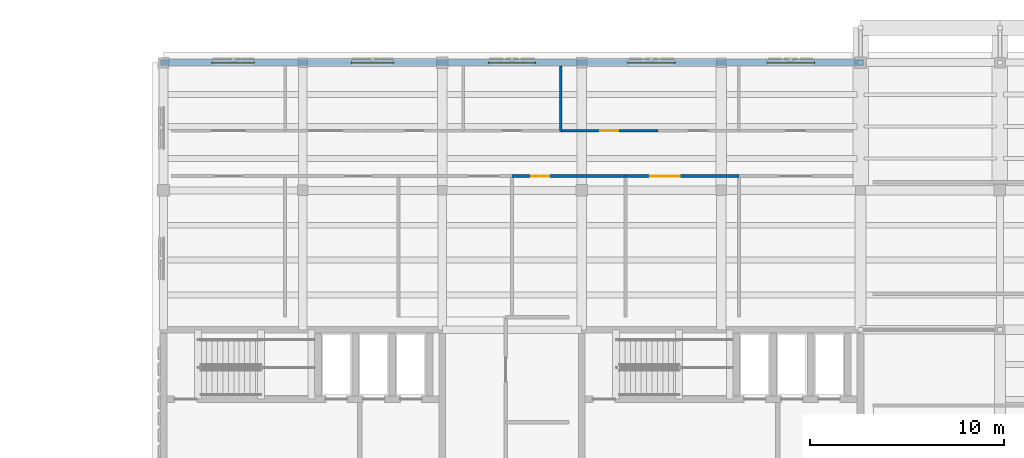
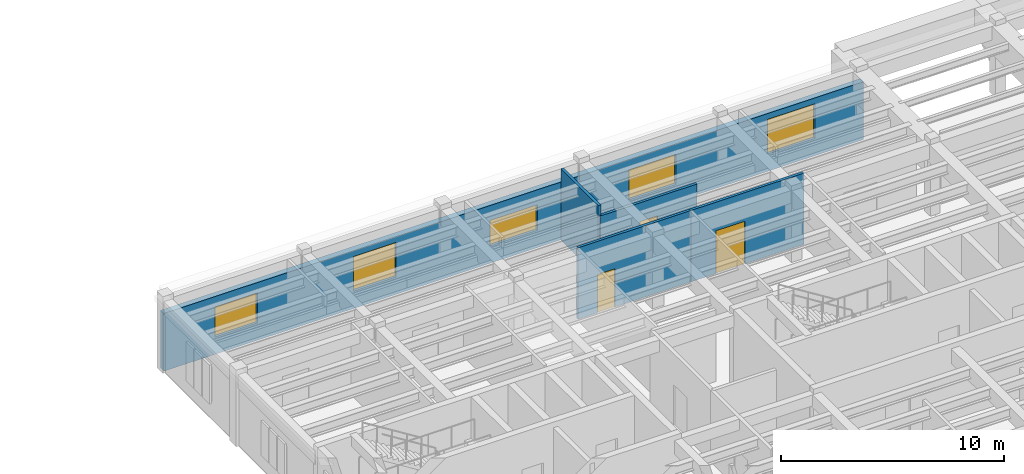
# One storey, part 15 of 22: 5 walls, 5 windows, 3 doors, 8 openings.
"""IFC4 building model written with IfcOpenShell, lengths in metres."""

from ifc_helpers import new_model, si_unit, direction, frame, frame_2d, origin, place, context, subcontext, project, spatial, rectangle, extrude, material, layer, layer_set, type_object, element, fill, save


model = new_model("IFC4")

# Units and contexts
model_context = context("Model", 3, precision=1e-05, world=origin(), true_north=direction((0.0, 1.0)))
body_context = subcontext(model_context, "Body", "Model", "MODEL_VIEW")
ifc_project = project(units=[si_unit("LENGTHUNIT", "METRE"), si_unit("AREAUNIT", "SQUARE_METRE"), si_unit("VOLUMEUNIT", "CUBIC_METRE"), si_unit("PLANEANGLEUNIT", "RADIAN"), si_unit("MASSUNIT", "GRAM", prefix="KILO")], contexts=[model_context])

# Site, building, storey
site_placement = place(None, origin())
site = spatial("IfcSite", under=ifc_project, at=site_placement, CompositionType="ELEMENT")
building_placement = place(site_placement, origin())
building = spatial("IfcBuilding", under=site, at=building_placement, Name="Mithqara Police Headquarters", CompositionType="ELEMENT")
storey_placement = place(building_placement, frame((0.0, 0.0, 22.199951171875)))
storey = spatial("IfcBuildingStorey", under=building, at=storey_placement, Name="L05", CompositionType="ELEMENT", Elevation=22.199951171875)

# Wall, openings, windows
ifc_material_1 = material(Name="Ochre masonry cavity wall, 35 MPa", Category="masonry")
ifc_layer_1 = layer(ifc_material_1, 0.300048828125, Name="Ochre masonry cavity wall, 35 MPa")
ifc_layer_set_1 = layer_set([ifc_layer_1], Name="Ochre masonry cavity wall, 35 MPa")
wall_type_1 = type_object("IfcWallType", Name="EXT WALL OCHRE BRICK300", PredefinedType="SOLIDWALL", material=ifc_layer_set_1)
wall_1_placement = place(storey_placement, frame((144.75, 114.0, 0.0), z_axis=(0.0, 0.0, 1.0), x_axis=(-1.0, 0.0, 0.0)))
wall_1 = element("IfcWall", 1, at=wall_1_placement, inside=storey, type_object=wall_type_1, Name="L05 Exterior Wall 8.1", PredefinedType="SOLIDWALL", context=body_context, shape_type="SweptSolid", body=[
    extrude(rectangle(XDim=36.300048828125, YDim=0.300048828125, at=frame_2d((18.14990234375, 0.0))), origin(), (0.0, 0.0, 1.0), 3.170166015625),
])
opening_1_placement = place(wall_1_placement, frame((31.449951171875, 0.0, 0.949951171875)))
opening_1 = element("IfcOpeningElement", 2, at=opening_1_placement, cuts=wall_1, Name="Opening W-42", PredefinedType="OPENING", context=body_context, shape_type="SweptSolid", body=[
    extrude(rectangle(XDim=2.199951171875, YDim=1.64990234375, at=frame_2d((1.10009765625, 0.824951171875))), frame((0.0, 0.16015625, 0.0), z_axis=(0.0, -1.0, 0.0), x_axis=(1.0, 0.0, 0.0)), (0.0, 0.0, 1.0), 0.320068359375),
])
opening_2_placement = place(wall_1_placement, frame((24.25, 0.0, 0.949951171875)))
opening_2 = element("IfcOpeningElement", 3, at=opening_2_placement, cuts=wall_1, Name="Opening W-43", PredefinedType="OPENING", context=body_context, shape_type="SweptSolid", body=[
    extrude(rectangle(XDim=2.199951171875, YDim=1.89990234375, at=frame_2d((1.10009765625, 0.949951171875))), frame((0.0, 0.16015625, 0.0), z_axis=(0.0, -1.0, 0.0), x_axis=(1.0, 0.0, 0.0)), (0.0, 0.0, 1.0), 0.320068359375),
])
opening_3_placement = place(wall_1_placement, frame((16.925048828125, 0.0, 0.949951171875)))
opening_3 = element("IfcOpeningElement", 4, at=opening_3_placement, cuts=wall_1, Name="Opening W-46", PredefinedType="OPENING", context=body_context, shape_type="SweptSolid", body=[
    extrude(rectangle(XDim=2.449951171875, YDim=1.39990234375, at=frame_2d((1.22509765625, 0.699951171875))), frame((0.0, 0.16015625, 0.0), z_axis=(0.0, -1.0, 0.0), x_axis=(1.0, 0.0, 0.0)), (0.0, 0.0, 1.0), 0.320068359375),
])
opening_4_placement = place(wall_1_placement, frame((9.72509765625, 0.0, 0.949951171875)))
opening_4 = element("IfcOpeningElement", 5, at=opening_4_placement, cuts=wall_1, Name="Opening W-47", PredefinedType="OPENING", context=body_context, shape_type="SweptSolid", body=[
    extrude(rectangle(XDim=2.449951171875, YDim=1.64990234375, at=frame_2d((1.22509765625, 0.824951171875))), frame((0.0, 0.16015625, 0.0), z_axis=(0.0, -1.0, 0.0), x_axis=(1.0, 0.0, 0.0)), (0.0, 0.0, 1.0), 0.320068359375),
])
opening_5_placement = place(wall_1_placement, frame((2.52490234375, 0.0, 0.949951171875)))
opening_5 = element("IfcOpeningElement", 6, at=opening_5_placement, cuts=wall_1, Name="Opening W-48", PredefinedType="OPENING", context=body_context, shape_type="SweptSolid", body=[
    extrude(rectangle(XDim=2.449951171875, YDim=1.89990234375, at=frame_2d((1.22509765625, 0.949951171875))), frame((0.0, 0.16015625, 0.0), z_axis=(0.0, -1.0, 0.0), x_axis=(1.0, 0.0, 0.0)), (0.0, 0.0, 1.0), 0.320068359375),
])
ifc_material_2 = material(Name="Spectrally selective double low-e glass", Category="glass")
window_type_1 = type_object("IfcWindowType", Name="WINDOW 2200X1650", PartitioningType="DOUBLE_PANEL_VERTICAL", PredefinedType="WINDOW", material=ifc_material_2)
window_1_placement = place(opening_1_placement, origin())
window_1 = element("IfcWindow", 7, at=window_1_placement, inside=storey, type_object=window_type_1, Name="L05 Command Block Screened Window 8.1", OverallHeight=1.64990234375, OverallWidth=2.199951171875, PartitioningType="SINGLE_PANEL", PredefinedType="WINDOW", context=body_context, shape_type="SweptSolid", body=[
    extrude(rectangle(XDim=2.199951171875, YDim=1.64990234375, at=frame_2d((1.10009765625, 0.824951171875))), frame((0.0, 0.030029296875, 0.0), z_axis=(0.0, -1.0, 0.0), x_axis=(1.0, 0.0, 0.0)), (0.0, 0.0, 1.0), 0.06005859375),
])
fill(opening_1, window_1)
window_type_2 = type_object("IfcWindowType", Name="WINDOW 2200X1900", PartitioningType="DOUBLE_PANEL_VERTICAL", PredefinedType="WINDOW", material=ifc_material_2)
window_2_placement = place(opening_2_placement, origin())
window_2 = element("IfcWindow", 8, at=window_2_placement, inside=storey, type_object=window_type_2, Name="L05 Command Block Screened Window 8.2", OverallHeight=1.89990234375, OverallWidth=2.199951171875, PartitioningType="SINGLE_PANEL", PredefinedType="WINDOW", context=body_context, shape_type="SweptSolid", body=[
    extrude(rectangle(XDim=2.199951171875, YDim=1.89990234375, at=frame_2d((1.10009765625, 0.949951171875))), frame((0.0, 0.030029296875, 0.0), z_axis=(0.0, -1.0, 0.0), x_axis=(1.0, 0.0, 0.0)), (0.0, 0.0, 1.0), 0.06005859375),
])
fill(opening_2, window_2)
window_type_3 = type_object("IfcWindowType", Name="WINDOW 2450X1400", PartitioningType="DOUBLE_PANEL_VERTICAL", PredefinedType="WINDOW", material=ifc_material_2)
window_3_placement = place(opening_3_placement, origin())
window_3 = element("IfcWindow", 9, at=window_3_placement, inside=storey, type_object=window_type_3, Name="L05 Command Block Screened Window 8.3", OverallHeight=1.39990234375, OverallWidth=2.449951171875, PartitioningType="SINGLE_PANEL", PredefinedType="WINDOW", context=body_context, shape_type="SweptSolid", body=[
    extrude(rectangle(XDim=2.449951171875, YDim=1.39990234375, at=frame_2d((1.22509765625, 0.699951171875))), frame((0.0, 0.030029296875, 0.0), z_axis=(0.0, -1.0, 0.0), x_axis=(1.0, 0.0, 0.0)), (0.0, 0.0, 1.0), 0.06005859375),
])
fill(opening_3, window_3)
window_type_4 = type_object("IfcWindowType", Name="WINDOW 2450X1650", PartitioningType="DOUBLE_PANEL_VERTICAL", PredefinedType="WINDOW", material=ifc_material_2)
window_4_placement = place(opening_4_placement, origin())
window_4 = element("IfcWindow", 10, at=window_4_placement, inside=storey, type_object=window_type_4, Name="L05 Command Block Screened Window 8.4", OverallHeight=1.64990234375, OverallWidth=2.449951171875, PartitioningType="SINGLE_PANEL", PredefinedType="WINDOW", context=body_context, shape_type="SweptSolid", body=[
    extrude(rectangle(XDim=2.449951171875, YDim=1.64990234375, at=frame_2d((1.22509765625, 0.824951171875))), frame((0.0, 0.030029296875, 0.0), z_axis=(0.0, -1.0, 0.0), x_axis=(1.0, 0.0, 0.0)), (0.0, 0.0, 1.0), 0.06005859375),
])
fill(opening_4, window_4)
window_type_5 = type_object("IfcWindowType", Name="WINDOW 2450X1900", PartitioningType="DOUBLE_PANEL_VERTICAL", PredefinedType="WINDOW", material=ifc_material_2)
window_5_placement = place(opening_5_placement, origin())
window_5 = element("IfcWindow", 11, at=window_5_placement, inside=storey, type_object=window_type_5, Name="L05 Command Block Screened Window 8.5", OverallHeight=1.89990234375, OverallWidth=2.449951171875, PartitioningType="SINGLE_PANEL", PredefinedType="WINDOW", context=body_context, shape_type="SweptSolid", body=[
    extrude(rectangle(XDim=2.449951171875, YDim=1.89990234375, at=frame_2d((1.22509765625, 0.949951171875))), frame((0.0, 0.030029296875, 0.0), z_axis=(0.0, -1.0, 0.0), x_axis=(1.0, 0.0, 0.0)), (0.0, 0.0, 1.0), 0.06005859375),
])
fill(opening_5, window_5)

# Wall, opening, door
ifc_material_3 = material(Name="Gypsum acoustic stud partition", Category="gypsum")
ifc_layer_2 = layer(ifc_material_3, 0.139892578125, Name="Gypsum acoustic stud partition")
ifc_layer_set_2 = layer_set([ifc_layer_2], Name="Gypsum acoustic stud partition")
wall_type_2 = type_object("IfcWallType", Name="PART WALL 140", PredefinedType="PARTITIONING", material=ifc_layer_set_2)
wall_2_placement = place(storey_placement, frame((126.60009765625, 108.139892578125, 0.0), z_axis=(0.0, 0.0, 1.0), x_axis=(1.0, 0.0, 0.0)))
wall_2 = element("IfcWall", 12, at=wall_2_placement, inside=storey, type_object=wall_type_2, Name="L05 Corridor Wall Chief of Staff Office", PredefinedType="PARTITIONING", context=body_context, shape_type="SweptSolid", body=[
    extrude(rectangle(XDim=5.85986328125, YDim=0.139892578125, at=frame_2d((2.929931640625, 0.0))), origin(), (0.0, 0.0, 1.0), 3.920166015625),
])
opening_6_placement = place(wall_2_placement, frame((1.0048828125, 0.0, 0.0)))
opening_6 = element("IfcOpeningElement", 13, at=opening_6_placement, cuts=wall_2, Name="Opening D-01", PredefinedType="OPENING", context=body_context, shape_type="SweptSolid", body=[
    extrude(rectangle(XDim=0.919921875, YDim=2.10009765625, at=frame_2d((0.4599609375, 1.050048828125))), frame((0.0, 0.080078125, 0.0), z_axis=(0.0, -1.0, 0.0), x_axis=(1.0, 0.0, 0.0)), (0.0, 0.0, 1.0), 0.159912109375),
])
ifc_material_4 = material(Name="Acoustic solid-core timber leaf", Category="wood")
door_type_1 = type_object("IfcDoorType", Name="INT DOOR 920X2100", OperationType="NOTDEFINED", PredefinedType="DOOR", material=ifc_material_4)
door_1_placement = place(opening_6_placement, frame((0.919921875, 0.0, 0.0), z_axis=(0.0, 0.0, 1.0), x_axis=(-1.0, 0.0, 0.0)))
door_1 = element("IfcDoor", 14, at=door_1_placement, inside=storey, type_object=door_type_1, Name="Chief of Staff Office Entry Door", OperationType="SINGLE_SWING_LEFT", OverallHeight=2.10009765625, OverallWidth=0.919921875, PredefinedType="DOOR", context=body_context, shape_type="SweptSolid", body=[
    extrude(rectangle(XDim=0.919921875, YDim=2.10009765625, at=frame_2d((0.4599609375, 1.050048828125))), frame((0.0, 0.02490234375, 0.0), z_axis=(0.0, -1.0, 0.0), x_axis=(1.0, 0.0, 0.0)), (0.0, 0.0, 1.0), 0.050048828125),
])
fill(opening_6, door_1)

wall_3_placement = place(storey_placement, frame((132.4599609375, 108.139892578125, 0.0), z_axis=(0.0, 0.0, 1.0), x_axis=(1.0, 0.0, 0.0)))
wall_3 = element("IfcWall", 15, at=wall_3_placement, inside=storey, type_object=wall_type_2, Name="L05 Corridor Wall Police Commissioner Directorate", PredefinedType="PARTITIONING", context=body_context, shape_type="SweptSolid", body=[
    extrude(rectangle(XDim=5.860107421875, YDim=0.139892578125, at=frame_2d((2.93017578125, 0.0))), origin(), (0.0, 0.0, 1.0), 3.920166015625),
])
opening_7_placement = place(wall_3_placement, frame((1.291015625, 0.0, 0.0)))
opening_7 = element("IfcOpeningElement", 16, at=opening_7_placement, cuts=wall_3, Name="Opening D-21", PredefinedType="OPENING", context=body_context, shape_type="SweptSolid", body=[
    extrude(rectangle(XDim=1.52001953125, YDim=2.35009765625, at=frame_2d((0.760009765625, 1.175048828125))), frame((0.0, 0.080078125, 0.0), z_axis=(0.0, -1.0, 0.0), x_axis=(1.0, 0.0, 0.0)), (0.0, 0.0, 1.0), 0.159912109375),
])
ifc_material_5 = material(Name="Bronze anodised aluminium 6063-T6", Category="aluminium")
door_type_2 = type_object("IfcDoorType", Name="INT DOOR 1520X2350", OperationType="NOTDEFINED", PredefinedType="DOOR", material=ifc_material_5)
door_2_placement = place(opening_7_placement, frame((1.52001953125, 0.0, 0.0), z_axis=(0.0, 0.0, 1.0), x_axis=(-1.0, 0.0, 0.0)))
door_2 = element("IfcDoor", 17, at=door_2_placement, inside=storey, type_object=door_type_2, Name="Police Commissioner Directorate Entry Door", OperationType="DOUBLE_DOOR_SINGLE_SWING", OverallHeight=2.35009765625, OverallWidth=1.52001953125, PredefinedType="DOOR", context=body_context, shape_type="SweptSolid", body=[
    extrude(rectangle(XDim=1.52001953125, YDim=2.35009765625, at=frame_2d((0.760009765625, 1.175048828125))), frame((0.0, 0.02490234375, 0.0), z_axis=(0.0, -1.0, 0.0), x_axis=(1.0, 0.0, 0.0)), (0.0, 0.0, 1.0), 0.050048828125),
])
fill(opening_7, door_2)

# Wall
wall_4_placement = place(storey_placement, frame((129.111083984375, 110.47998046875, 0.0), z_axis=(0.0, 0.0, 1.0), x_axis=(0.0, 1.0, 0.0)))
element("IfcWall", 18, at=wall_4_placement, inside=storey, type_object=wall_type_2, Name="L05 Room Partition Deputy Commissioner Suite", PredefinedType="PARTITIONING", context=body_context, shape_type="SweptSolid", body=[
    extrude(rectangle(XDim=3.340087890625, YDim=0.139892578125, at=frame_2d((1.669921875, 0.0))), origin(), (0.0, 0.0, 1.0), 3.920166015625),
])

# Wall, opening, door
wall_5_placement = place(storey_placement, frame((129.111083984375, 110.47998046875, 0.0), z_axis=(0.0, 0.0, 1.0), x_axis=(1.0, 0.0, 0.0)))
wall_5 = element("IfcWall", 19, at=wall_5_placement, inside=storey, type_object=wall_type_2, Name="L05 Corridor Wall Executive Briefing Room", PredefinedType="PARTITIONING", context=body_context, shape_type="SweptSolid", body=[
    extrude(rectangle(XDim=5.02294921875, YDim=0.139892578125, at=frame_2d((2.511474609375, 0.0))), origin(), (0.0, 0.0, 1.0), 3.3701171875),
])
opening_8_placement = place(wall_5_placement, frame((2.051513671875, 0.0, 0.0)))
opening_8 = element("IfcOpeningElement", 20, at=opening_8_placement, cuts=wall_5, Name="Opening D-03", PredefinedType="OPENING", context=body_context, shape_type="SweptSolid", body=[
    extrude(rectangle(XDim=0.919921875, YDim=2.35009765625, at=frame_2d((0.4599609375, 1.175048828125))), frame((0.0, 0.080078125, 0.0), z_axis=(0.0, -1.0, 0.0), x_axis=(1.0, 0.0, 0.0)), (0.0, 0.0, 1.0), 0.159912109375),
])
door_type_3 = type_object("IfcDoorType", Name="INT DOOR 920X2350", OperationType="NOTDEFINED", PredefinedType="DOOR", material=ifc_material_4)
door_3_placement = place(opening_8_placement, origin())
door_3 = element("IfcDoor", 21, at=door_3_placement, inside=storey, type_object=door_type_3, Name="Executive Briefing Room Entry Door", OperationType="SINGLE_SWING_RIGHT", OverallHeight=2.35009765625, OverallWidth=0.919921875, PredefinedType="DOOR", context=body_context, shape_type="SweptSolid", body=[
    extrude(rectangle(XDim=0.919921875, YDim=2.35009765625, at=frame_2d((0.4599609375, 1.175048828125))), frame((0.0, 0.02490234375, 0.0), z_axis=(0.0, -1.0, 0.0), x_axis=(1.0, 0.0, 0.0)), (0.0, 0.0, 1.0), 0.050048828125),
])
fill(opening_8, door_3)

save(model, "model.ifc")
